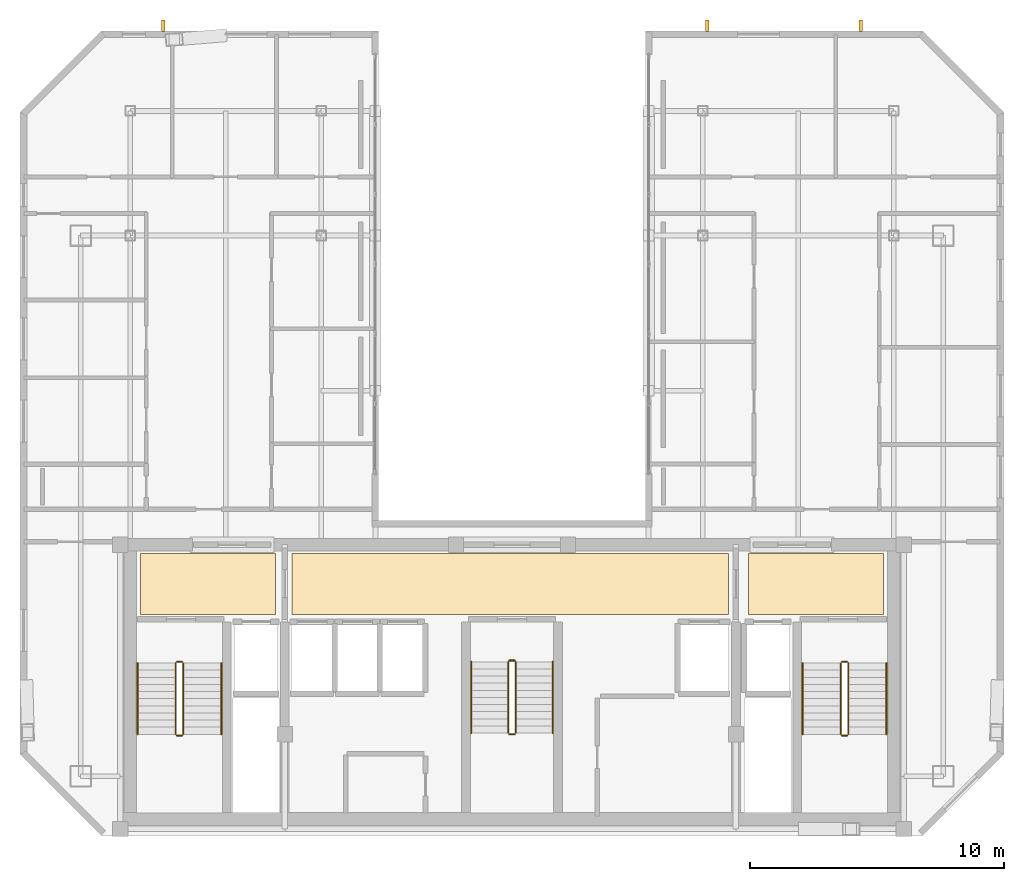
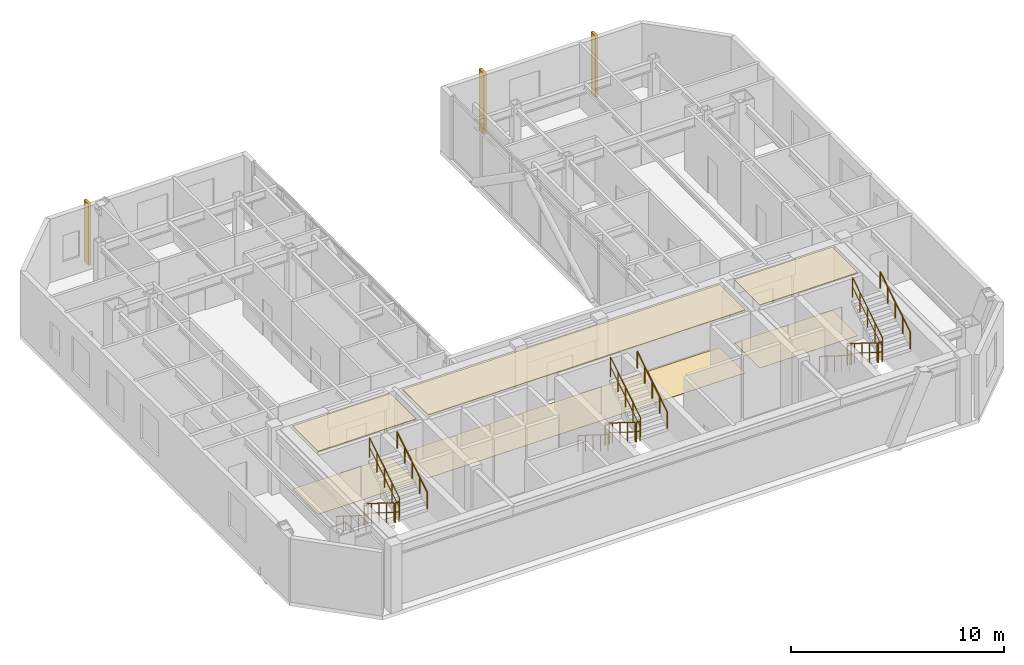
# One storey, part 18 of 18: 18 railings, 6 coverings, 3 shading devices.
"""IFC4 building model written with IfcOpenShell, lengths in metres."""

from ifc_helpers import new_model, si_unit, direction, frame, origin, origin_2d, place, context, subcontext, project, spatial, polyline, rectangle, circle, outline, extrude, material, layer, layer_set, type_object, element, save


model = new_model("IFC4")

# Units and contexts
model_context = context("Model", 3, precision=1e-05, world=origin(), true_north=direction((0.0, 1.0)))
body_context = subcontext(model_context, "Body", "Model", "MODEL_VIEW")
ifc_project = project(units=[si_unit("LENGTHUNIT", "METRE"), si_unit("AREAUNIT", "SQUARE_METRE"), si_unit("VOLUMEUNIT", "CUBIC_METRE"), si_unit("PLANEANGLEUNIT", "RADIAN"), si_unit("MASSUNIT", "GRAM", prefix="KILO")], contexts=[model_context])

# Site, building, storey
site_placement = place(None, origin())
site = spatial("IfcSite", under=ifc_project, at=site_placement, CompositionType="ELEMENT")
building_placement = place(site_placement, origin())
building = spatial("IfcBuilding", under=site, at=building_placement, Name="Ventersveld Concourse Tower", CompositionType="ELEMENT")
storey_placement = place(building_placement, frame((0.0, 0.0, 341.35009765625)))
storey = spatial("IfcBuildingStorey", under=building, at=storey_placement, Name="L84", CompositionType="ELEMENT", Elevation=341.35009765625)

# Coverings
ifc_material_1 = material(Name="Mineral-fibre acoustic ceiling tile", Category="gypsum")
ifc_layer_1 = layer(ifc_material_1, 0.0400390625)
ifc_layer_set_1 = layer_set([ifc_layer_1], Name="Mineral-fibre acoustic ceiling tile")
covering_type_1 = type_object("IfcCoveringType", Name="COV-CEIL-ACOUSTIC", PredefinedType="CEILING", material=ifc_layer_set_1)
covering_1_placement = place(storey_placement, frame((0.0, 0.0, 3.58984375)))
element("IfcCovering", 1, at=covering_1_placement, inside=storey, type_object=covering_type_1, Name="L84 North Lift Lobby Acoustic Ceiling", PredefinedType="CEILING", context=body_context, shape_type="SweptSolid", body=[
    extrude(outline(polyline([(20.10009765625, 8.699951171875), (37.25, 8.699951171875), (37.25, 11.10009765625), (20.10009765625, 11.10009765625), (20.10009765625, 8.699951171875)])), origin(), (0.0, 0.0, 1.0), 0.0400390625),
])
covering_2_placement = place(storey_placement, frame((0.0, 0.0, 3.58984375)))
element("IfcCovering", 2, at=covering_2_placement, inside=storey, type_object=covering_type_1, Name="L84 West Firefighting Lobby Acoustic Ceiling", PredefinedType="CEILING", context=body_context, shape_type="SweptSolid", body=[
    extrude(outline(polyline([(14.14990234375, 8.699951171875), (19.449951171875, 8.699951171875), (19.449951171875, 11.10009765625), (14.14990234375, 11.10009765625), (14.14990234375, 8.699951171875)])), origin(), (0.0, 0.0, 1.0), 0.0400390625),
])
covering_3_placement = place(storey_placement, frame((0.0, 0.0, 3.58984375)))
element("IfcCovering", 3, at=covering_3_placement, inside=storey, type_object=covering_type_1, Name="L84 East Firefighting Lobby Acoustic Ceiling", PredefinedType="CEILING", context=body_context, shape_type="SweptSolid", body=[
    extrude(outline(polyline([(38.050048828125, 8.699951171875), (43.35009765625, 8.699951171875), (43.35009765625, 11.10009765625), (38.050048828125, 11.10009765625), (38.050048828125, 8.699951171875)])), origin(), (0.0, 0.0, 1.0), 0.0400390625),
])
ifc_material_2 = material(Name="Polished Highveld granite terrazzo", Category="masonry")
ifc_layer_2 = layer(ifc_material_2, 0.02001953125)
ifc_layer_set_2 = layer_set([ifc_layer_2], Name="Polished Highveld granite terrazzo")
covering_type_2 = type_object("IfcCoveringType", Name="COV-FLOOR-TERRAZZO", PredefinedType="FLOORING", material=ifc_layer_set_2)
covering_4_placement = place(storey_placement, origin())
element("IfcCovering", 4, at=covering_4_placement, inside=storey, type_object=covering_type_2, Name="L84 North Lift Lobby Terrazzo Flooring", PredefinedType="FLOORING", context=body_context, shape_type="SweptSolid", body=[
    extrude(outline(polyline([(20.10009765625, 8.699951171875), (37.25, 8.699951171875), (37.25, 11.10009765625), (20.10009765625, 11.10009765625), (20.10009765625, 8.699951171875)])), origin(), (0.0, 0.0, 1.0), 0.02001953125),
])
covering_5_placement = place(storey_placement, origin())
element("IfcCovering", 5, at=covering_5_placement, inside=storey, type_object=covering_type_2, Name="L84 West Firefighting Lobby Terrazzo Flooring", PredefinedType="FLOORING", context=body_context, shape_type="SweptSolid", body=[
    extrude(outline(polyline([(14.14990234375, 8.699951171875), (19.449951171875, 8.699951171875), (19.449951171875, 11.10009765625), (14.14990234375, 11.10009765625), (14.14990234375, 8.699951171875)])), origin(), (0.0, 0.0, 1.0), 0.02001953125),
])
covering_6_placement = place(storey_placement, origin())
element("IfcCovering", 6, at=covering_6_placement, inside=storey, type_object=covering_type_2, Name="L84 East Firefighting Lobby Terrazzo Flooring", PredefinedType="FLOORING", context=body_context, shape_type="SweptSolid", body=[
    extrude(outline(polyline([(38.050048828125, 8.699951171875), (43.35009765625, 8.699951171875), (43.35009765625, 11.10009765625), (38.050048828125, 11.10009765625), (38.050048828125, 8.699951171875)])), origin(), (0.0, 0.0, 1.0), 0.02001953125),
])

# Railings
ifc_material_3 = material(Name="Brushed stainless steel 316", Category="steel")
railing_type_1 = type_object("IfcRailingType", Name="GD-BAL-115", PredefinedType="GUARDRAIL", material=ifc_material_3)
railing_1_placement = place(storey_placement, frame((15.530029296875, 6.800048828125, 0.1748046875)))
element("IfcRailing", 7, at=railing_1_placement, inside=storey, type_object=railing_type_1, Name="L84 ST-01 stair guard 1", PredefinedType="GUARDRAIL", context=body_context, shape_type="SweptSolid", body=[
    extrude(circle(Radius=0.02392578125, at=origin_2d()), frame((0.0, 0.0, 1.1259765625), z_axis=(0.0, -0.848002457836, 0.529992293815), x_axis=(1.0, 0.0, 0.0)), (0.0, 0.0, 1.0), 3.302001953125),
    extrude(circle(Radius=0.01611328125, at=origin_2d()), frame((0.0, 0.0, 0.574951171875), z_axis=(0.0, -0.848002457836, 0.529992293815), x_axis=(1.0, 0.0, 0.0)), (0.0, 0.0, 1.0), 3.302001953125),
    extrude(circle(Radius=0.02099609375, at=origin_2d()), origin(), (0.0, 0.0, 1.0), 1.101806640625),
    extrude(circle(Radius=0.02099609375, at=origin_2d()), frame((0.0, -0.699951171875, 0.4375)), (0.0, 0.0, 1.0), 1.101806640625),
    extrude(circle(Radius=0.02099609375, at=origin_2d()), frame((0.0, -1.39990234375, 0.875)), (0.0, 0.0, 1.0), 1.101806640625),
    extrude(circle(Radius=0.02099609375, at=origin_2d()), frame((0.0, -2.10009765625, 1.3125)), (0.0, 0.0, 1.0), 1.101806640625),
    extrude(circle(Radius=0.02099609375, at=origin_2d()), frame((0.0, -2.800048828125, 1.75)), (0.0, 0.0, 1.0), 1.101806640625),
])
railing_2_placement = place(storey_placement, frame((15.580078125, 3.949951171875, 1.9248046875)))
element("IfcRailing", 8, at=railing_2_placement, inside=storey, type_object=railing_type_1, Name="L84 ST-01 stair guard 2", PredefinedType="GUARDRAIL", context=body_context, shape_type="SweptSolid", body=[
    extrude(circle(Radius=0.02392578125, at=origin_2d()), frame((0.0, 0.0, 1.1259765625), z_axis=(1.0, 0.0, 0.0), x_axis=(0.0, 1.0, 0.0)), (0.0, 0.0, 1.0), 0.199951171875),
    extrude(circle(Radius=0.01611328125, at=origin_2d()), frame((0.0, 0.0, 0.574951171875), z_axis=(1.0, 0.0, 0.0), x_axis=(0.0, 1.0, 0.0)), (0.0, 0.0, 1.0), 0.199951171875),
    extrude(circle(Radius=0.02099609375, at=origin_2d()), origin(), (0.0, 0.0, 1.0), 1.101806640625),
    extrude(circle(Radius=0.02099609375, at=origin_2d()), frame((0.199951171875, 0.0, 0.0)), (0.0, 0.0, 1.0), 1.101806640625),
])
railing_3_placement = place(storey_placement, frame((15.830078125, 4.0, 2.099853515625)))
element("IfcRailing", 9, at=railing_3_placement, inside=storey, type_object=railing_type_1, Name="L84 ST-01 stair guard 3", PredefinedType="GUARDRAIL", context=body_context, shape_type="SweptSolid", body=[
    extrude(circle(Radius=0.02392578125, at=origin_2d()), frame((0.0, 0.0, 1.1259765625), z_axis=(0.0, 0.848002457836, 0.529992293815), x_axis=(-1.0, 0.0, 0.0)), (0.0, 0.0, 1.0), 3.302001953125),
    extrude(circle(Radius=0.01611328125, at=origin_2d()), frame((0.0, 0.0, 0.574951171875), z_axis=(0.0, 0.848002457836, 0.529992293815), x_axis=(-1.0, 0.0, 0.0)), (0.0, 0.0, 1.0), 3.302001953125),
    extrude(circle(Radius=0.02099609375, at=origin_2d()), origin(), (0.0, 0.0, 1.0), 1.101806640625),
    extrude(circle(Radius=0.02099609375, at=origin_2d()), frame((0.0, 0.699951171875, 0.4375)), (0.0, 0.0, 1.0), 1.101806640625),
    extrude(circle(Radius=0.02099609375, at=origin_2d()), frame((0.0, 1.39990234375, 0.875)), (0.0, 0.0, 1.0), 1.101806640625),
    extrude(circle(Radius=0.02099609375, at=origin_2d()), frame((0.0, 2.10009765625, 1.3125)), (0.0, 0.0, 1.0), 1.101806640625),
    extrude(circle(Radius=0.02099609375, at=origin_2d()), frame((0.0, 2.800048828125, 1.75)), (0.0, 0.0, 1.0), 1.101806640625),
])
railing_4_placement = place(storey_placement, frame((15.580078125, 6.85009765625, 0.0)))
element("IfcRailing", 10, at=railing_4_placement, inside=storey, type_object=railing_type_1, Name="L84 ST-01 stair guard 4", PredefinedType="GUARDRAIL", context=body_context, shape_type="SweptSolid", body=[
    extrude(circle(Radius=0.02392578125, at=origin_2d()), frame((0.0, 0.0, 1.1259765625), z_axis=(1.0, 0.0, 0.0), x_axis=(0.0, 1.0, 0.0)), (0.0, 0.0, 1.0), 0.199951171875),
    extrude(circle(Radius=0.01611328125, at=origin_2d()), frame((0.0, 0.0, 0.574951171875), z_axis=(1.0, 0.0, 0.0), x_axis=(0.0, 1.0, 0.0)), (0.0, 0.0, 1.0), 0.199951171875),
    extrude(circle(Radius=0.02099609375, at=origin_2d()), origin(), (0.0, 0.0, 1.0), 1.101806640625),
    extrude(circle(Radius=0.02099609375, at=origin_2d()), frame((0.199951171875, 0.0, 0.0)), (0.0, 0.0, 1.0), 1.101806640625),
])
railing_5_placement = place(storey_placement, frame((41.669921875, 6.800048828125, 0.1748046875)))
element("IfcRailing", 11, at=railing_5_placement, inside=storey, type_object=railing_type_1, Name="L84 ST-02 stair guard 1", PredefinedType="GUARDRAIL", context=body_context, shape_type="SweptSolid", body=[
    extrude(circle(Radius=0.02392578125, at=origin_2d()), frame((0.0, 0.0, 1.1259765625), z_axis=(0.0, -0.848002457836, 0.529992293815), x_axis=(1.0, 0.0, 0.0)), (0.0, 0.0, 1.0), 3.302001953125),
    extrude(circle(Radius=0.01611328125, at=origin_2d()), frame((0.0, 0.0, 0.574951171875), z_axis=(0.0, -0.848002457836, 0.529992293815), x_axis=(1.0, 0.0, 0.0)), (0.0, 0.0, 1.0), 3.302001953125),
    extrude(circle(Radius=0.02099609375, at=origin_2d()), origin(), (0.0, 0.0, 1.0), 1.101806640625),
    extrude(circle(Radius=0.02099609375, at=origin_2d()), frame((0.0, -0.699951171875, 0.4375)), (0.0, 0.0, 1.0), 1.101806640625),
    extrude(circle(Radius=0.02099609375, at=origin_2d()), frame((0.0, -1.39990234375, 0.875)), (0.0, 0.0, 1.0), 1.101806640625),
    extrude(circle(Radius=0.02099609375, at=origin_2d()), frame((0.0, -2.10009765625, 1.3125)), (0.0, 0.0, 1.0), 1.101806640625),
    extrude(circle(Radius=0.02099609375, at=origin_2d()), frame((0.0, -2.800048828125, 1.75)), (0.0, 0.0, 1.0), 1.101806640625),
])
railing_6_placement = place(storey_placement, frame((41.719970703125, 3.949951171875, 1.9248046875)))
element("IfcRailing", 12, at=railing_6_placement, inside=storey, type_object=railing_type_1, Name="L84 ST-02 stair guard 2", PredefinedType="GUARDRAIL", context=body_context, shape_type="SweptSolid", body=[
    extrude(circle(Radius=0.02392578125, at=origin_2d()), frame((0.0, 0.0, 1.1259765625), z_axis=(1.0, 0.0, 0.0), x_axis=(0.0, 1.0, 0.0)), (0.0, 0.0, 1.0), 0.199951171875),
    extrude(circle(Radius=0.01611328125, at=origin_2d()), frame((0.0, 0.0, 0.574951171875), z_axis=(1.0, 0.0, 0.0), x_axis=(0.0, 1.0, 0.0)), (0.0, 0.0, 1.0), 0.199951171875),
    extrude(circle(Radius=0.02099609375, at=origin_2d()), origin(), (0.0, 0.0, 1.0), 1.101806640625),
    extrude(circle(Radius=0.02099609375, at=origin_2d()), frame((0.199951171875, 0.0, 0.0)), (0.0, 0.0, 1.0), 1.101806640625),
])
railing_7_placement = place(storey_placement, frame((41.969970703125, 4.0, 2.099853515625)))
element("IfcRailing", 13, at=railing_7_placement, inside=storey, type_object=railing_type_1, Name="L84 ST-02 stair guard 3", PredefinedType="GUARDRAIL", context=body_context, shape_type="SweptSolid", body=[
    extrude(circle(Radius=0.02392578125, at=origin_2d()), frame((0.0, 0.0, 1.1259765625), z_axis=(0.0, 0.848002457836, 0.529992293815), x_axis=(-1.0, 0.0, 0.0)), (0.0, 0.0, 1.0), 3.302001953125),
    extrude(circle(Radius=0.01611328125, at=origin_2d()), frame((0.0, 0.0, 0.574951171875), z_axis=(0.0, 0.848002457836, 0.529992293815), x_axis=(-1.0, 0.0, 0.0)), (0.0, 0.0, 1.0), 3.302001953125),
    extrude(circle(Radius=0.02099609375, at=origin_2d()), origin(), (0.0, 0.0, 1.0), 1.101806640625),
    extrude(circle(Radius=0.02099609375, at=origin_2d()), frame((0.0, 0.699951171875, 0.4375)), (0.0, 0.0, 1.0), 1.101806640625),
    extrude(circle(Radius=0.02099609375, at=origin_2d()), frame((0.0, 1.39990234375, 0.875)), (0.0, 0.0, 1.0), 1.101806640625),
    extrude(circle(Radius=0.02099609375, at=origin_2d()), frame((0.0, 2.10009765625, 1.3125)), (0.0, 0.0, 1.0), 1.101806640625),
    extrude(circle(Radius=0.02099609375, at=origin_2d()), frame((0.0, 2.800048828125, 1.75)), (0.0, 0.0, 1.0), 1.101806640625),
])
railing_8_placement = place(storey_placement, frame((41.719970703125, 6.85009765625, 0.0)))
element("IfcRailing", 14, at=railing_8_placement, inside=storey, type_object=railing_type_1, Name="L84 ST-02 stair guard 4", PredefinedType="GUARDRAIL", context=body_context, shape_type="SweptSolid", body=[
    extrude(circle(Radius=0.02392578125, at=origin_2d()), frame((0.0, 0.0, 1.1259765625), z_axis=(1.0, 0.0, 0.0), x_axis=(0.0, 1.0, 0.0)), (0.0, 0.0, 1.0), 0.199951171875),
    extrude(circle(Radius=0.01611328125, at=origin_2d()), frame((0.0, 0.0, 0.574951171875), z_axis=(1.0, 0.0, 0.0), x_axis=(0.0, 1.0, 0.0)), (0.0, 0.0, 1.0), 0.199951171875),
    extrude(circle(Radius=0.02099609375, at=origin_2d()), origin(), (0.0, 0.0, 1.0), 1.101806640625),
    extrude(circle(Radius=0.02099609375, at=origin_2d()), frame((0.199951171875, 0.0, 0.0)), (0.0, 0.0, 1.0), 1.101806640625),
])
railing_9_placement = place(storey_placement, frame((28.60009765625, 6.85009765625, 0.1748046875)))
element("IfcRailing", 15, at=railing_9_placement, inside=storey, type_object=railing_type_1, Name="L84 ST-03 stair guard 1", PredefinedType="GUARDRAIL", context=body_context, shape_type="SweptSolid", body=[
    extrude(circle(Radius=0.02392578125, at=origin_2d()), frame((0.0, 0.0, 1.1259765625), z_axis=(0.0, -0.848002457836, 0.529992293815), x_axis=(1.0, 0.0, 0.0)), (0.0, 0.0, 1.0), 3.302001953125),
    extrude(circle(Radius=0.01611328125, at=origin_2d()), frame((0.0, 0.0, 0.574951171875), z_axis=(0.0, -0.848002457836, 0.529992293815), x_axis=(1.0, 0.0, 0.0)), (0.0, 0.0, 1.0), 3.302001953125),
    extrude(circle(Radius=0.02099609375, at=origin_2d()), origin(), (0.0, 0.0, 1.0), 1.101806640625),
    extrude(circle(Radius=0.02099609375, at=origin_2d()), frame((0.0, -0.699951171875, 0.4375)), (0.0, 0.0, 1.0), 1.101806640625),
    extrude(circle(Radius=0.02099609375, at=origin_2d()), frame((0.0, -1.39990234375, 0.875)), (0.0, 0.0, 1.0), 1.101806640625),
    extrude(circle(Radius=0.02099609375, at=origin_2d()), frame((0.0, -2.10009765625, 1.3125)), (0.0, 0.0, 1.0), 1.101806640625),
    extrude(circle(Radius=0.02099609375, at=origin_2d()), frame((0.0, -2.800048828125, 1.75)), (0.0, 0.0, 1.0), 1.101806640625),
])
railing_10_placement = place(storey_placement, frame((28.64990234375, 4.0, 1.9248046875)))
element("IfcRailing", 16, at=railing_10_placement, inside=storey, type_object=railing_type_1, Name="L84 ST-03 stair guard 2", PredefinedType="GUARDRAIL", context=body_context, shape_type="SweptSolid", body=[
    extrude(circle(Radius=0.02392578125, at=origin_2d()), frame((0.0, 0.0, 1.1259765625), z_axis=(1.0, 0.0, 0.0), x_axis=(0.0, 1.0, 0.0)), (0.0, 0.0, 1.0), 0.2001953125),
    extrude(circle(Radius=0.01611328125, at=origin_2d()), frame((0.0, 0.0, 0.574951171875), z_axis=(1.0, 0.0, 0.0), x_axis=(0.0, 1.0, 0.0)), (0.0, 0.0, 1.0), 0.2001953125),
    extrude(circle(Radius=0.02099609375, at=origin_2d()), origin(), (0.0, 0.0, 1.0), 1.101806640625),
    extrude(circle(Radius=0.02099609375, at=origin_2d()), frame((0.2001953125, 0.0, 0.0)), (0.0, 0.0, 1.0), 1.101806640625),
])
railing_11_placement = place(storey_placement, frame((28.89990234375, 4.050048828125, 2.099853515625)))
element("IfcRailing", 17, at=railing_11_placement, inside=storey, type_object=railing_type_1, Name="L84 ST-03 stair guard 3", PredefinedType="GUARDRAIL", context=body_context, shape_type="SweptSolid", body=[
    extrude(circle(Radius=0.02392578125, at=origin_2d()), frame((0.0, 0.0, 1.1259765625), z_axis=(0.0, 0.848002457836, 0.529992293815), x_axis=(-1.0, 0.0, 0.0)), (0.0, 0.0, 1.0), 3.302001953125),
    extrude(circle(Radius=0.01611328125, at=origin_2d()), frame((0.0, 0.0, 0.574951171875), z_axis=(0.0, 0.848002457836, 0.529992293815), x_axis=(-1.0, 0.0, 0.0)), (0.0, 0.0, 1.0), 3.302001953125),
    extrude(circle(Radius=0.02099609375, at=origin_2d()), origin(), (0.0, 0.0, 1.0), 1.101806640625),
    extrude(circle(Radius=0.02099609375, at=origin_2d()), frame((0.0, 0.699951171875, 0.4375)), (0.0, 0.0, 1.0), 1.101806640625),
    extrude(circle(Radius=0.02099609375, at=origin_2d()), frame((0.0, 1.39990234375, 0.875)), (0.0, 0.0, 1.0), 1.101806640625),
    extrude(circle(Radius=0.02099609375, at=origin_2d()), frame((0.0, 2.10009765625, 1.3125)), (0.0, 0.0, 1.0), 1.101806640625),
    extrude(circle(Radius=0.02099609375, at=origin_2d()), frame((0.0, 2.800048828125, 1.75)), (0.0, 0.0, 1.0), 1.101806640625),
])
railing_12_placement = place(storey_placement, frame((28.64990234375, 6.89990234375, 0.0)))
element("IfcRailing", 18, at=railing_12_placement, inside=storey, type_object=railing_type_1, Name="L84 ST-03 stair guard 4", PredefinedType="GUARDRAIL", context=body_context, shape_type="SweptSolid", body=[
    extrude(circle(Radius=0.02392578125, at=origin_2d()), frame((0.0, 0.0, 1.1259765625), z_axis=(1.0, 0.0, 0.0), x_axis=(0.0, 1.0, 0.0)), (0.0, 0.0, 1.0), 0.2001953125),
    extrude(circle(Radius=0.01611328125, at=origin_2d()), frame((0.0, 0.0, 0.574951171875), z_axis=(1.0, 0.0, 0.0), x_axis=(0.0, 1.0, 0.0)), (0.0, 0.0, 1.0), 0.2001953125),
    extrude(circle(Radius=0.02099609375, at=origin_2d()), origin(), (0.0, 0.0, 1.0), 1.101806640625),
    extrude(circle(Radius=0.02099609375, at=origin_2d()), frame((0.2001953125, 0.0, 0.0)), (0.0, 0.0, 1.0), 1.101806640625),
])
railing_type_2 = type_object("IfcRailingType", Name="HR-RMP-095", PredefinedType="HANDRAIL", material=ifc_material_3)
railing_13_placement = place(storey_placement, frame((14.030029296875, 6.800048828125, 0.1748046875)))
element("IfcRailing", 19, at=railing_13_placement, inside=storey, type_object=railing_type_2, Name="L84 ST-01 stair handrail 1", PredefinedType="HANDRAIL", context=body_context, shape_type="SweptSolid", body=[
    extrude(circle(Radius=0.02392578125, at=origin_2d()), frame((0.0, 0.0, 0.92578125), z_axis=(0.0, -0.848002457836, 0.529992293815), x_axis=(1.0, 0.0, 0.0)), (0.0, 0.0, 1.0), 3.302001953125),
    extrude(circle(Radius=0.02099609375, at=origin_2d()), origin(), (0.0, 0.0, 1.0), 0.90185546875),
    extrude(circle(Radius=0.02099609375, at=origin_2d()), frame((0.0, -0.699951171875, 0.4375)), (0.0, 0.0, 1.0), 0.90185546875),
    extrude(circle(Radius=0.02099609375, at=origin_2d()), frame((0.0, -1.39990234375, 0.875)), (0.0, 0.0, 1.0), 0.90185546875),
    extrude(circle(Radius=0.02099609375, at=origin_2d()), frame((0.0, -2.10009765625, 1.3125)), (0.0, 0.0, 1.0), 0.90185546875),
    extrude(circle(Radius=0.02099609375, at=origin_2d()), frame((0.0, -2.800048828125, 1.75)), (0.0, 0.0, 1.0), 0.90185546875),
])
railing_14_placement = place(storey_placement, frame((17.330078125, 4.0, 2.099853515625)))
element("IfcRailing", 20, at=railing_14_placement, inside=storey, type_object=railing_type_2, Name="L84 ST-01 stair handrail 2", PredefinedType="HANDRAIL", context=body_context, shape_type="SweptSolid", body=[
    extrude(circle(Radius=0.02392578125, at=origin_2d()), frame((0.0, 0.0, 0.92578125), z_axis=(0.0, 0.848002457836, 0.529992293815), x_axis=(-1.0, 0.0, 0.0)), (0.0, 0.0, 1.0), 3.302001953125),
    extrude(circle(Radius=0.02099609375, at=origin_2d()), origin(), (0.0, 0.0, 1.0), 0.90185546875),
    extrude(circle(Radius=0.02099609375, at=origin_2d()), frame((0.0, 0.699951171875, 0.4375)), (0.0, 0.0, 1.0), 0.90185546875),
    extrude(circle(Radius=0.02099609375, at=origin_2d()), frame((0.0, 1.39990234375, 0.875)), (0.0, 0.0, 1.0), 0.90185546875),
    extrude(circle(Radius=0.02099609375, at=origin_2d()), frame((0.0, 2.10009765625, 1.3125)), (0.0, 0.0, 1.0), 0.90185546875),
    extrude(circle(Radius=0.02099609375, at=origin_2d()), frame((0.0, 2.800048828125, 1.75)), (0.0, 0.0, 1.0), 0.90185546875),
])
railing_15_placement = place(storey_placement, frame((40.169921875, 6.800048828125, 0.1748046875)))
element("IfcRailing", 21, at=railing_15_placement, inside=storey, type_object=railing_type_2, Name="L84 ST-02 stair handrail 1", PredefinedType="HANDRAIL", context=body_context, shape_type="SweptSolid", body=[
    extrude(circle(Radius=0.02392578125, at=origin_2d()), frame((0.0, 0.0, 0.92578125), z_axis=(0.0, -0.848002457836, 0.529992293815), x_axis=(1.0, 0.0, 0.0)), (0.0, 0.0, 1.0), 3.302001953125),
    extrude(circle(Radius=0.02099609375, at=origin_2d()), origin(), (0.0, 0.0, 1.0), 0.90185546875),
    extrude(circle(Radius=0.02099609375, at=origin_2d()), frame((0.0, -0.699951171875, 0.4375)), (0.0, 0.0, 1.0), 0.90185546875),
    extrude(circle(Radius=0.02099609375, at=origin_2d()), frame((0.0, -1.39990234375, 0.875)), (0.0, 0.0, 1.0), 0.90185546875),
    extrude(circle(Radius=0.02099609375, at=origin_2d()), frame((0.0, -2.10009765625, 1.3125)), (0.0, 0.0, 1.0), 0.90185546875),
    extrude(circle(Radius=0.02099609375, at=origin_2d()), frame((0.0, -2.800048828125, 1.75)), (0.0, 0.0, 1.0), 0.90185546875),
])
railing_16_placement = place(storey_placement, frame((43.469970703125, 4.0, 2.099853515625)))
element("IfcRailing", 22, at=railing_16_placement, inside=storey, type_object=railing_type_2, Name="L84 ST-02 stair handrail 2", PredefinedType="HANDRAIL", context=body_context, shape_type="SweptSolid", body=[
    extrude(circle(Radius=0.02392578125, at=origin_2d()), frame((0.0, 0.0, 0.92578125), z_axis=(0.0, 0.848002457836, 0.529992293815), x_axis=(-1.0, 0.0, 0.0)), (0.0, 0.0, 1.0), 3.302001953125),
    extrude(circle(Radius=0.02099609375, at=origin_2d()), origin(), (0.0, 0.0, 1.0), 0.90185546875),
    extrude(circle(Radius=0.02099609375, at=origin_2d()), frame((0.0, 0.699951171875, 0.4375)), (0.0, 0.0, 1.0), 0.90185546875),
    extrude(circle(Radius=0.02099609375, at=origin_2d()), frame((0.0, 1.39990234375, 0.875)), (0.0, 0.0, 1.0), 0.90185546875),
    extrude(circle(Radius=0.02099609375, at=origin_2d()), frame((0.0, 2.10009765625, 1.3125)), (0.0, 0.0, 1.0), 0.90185546875),
    extrude(circle(Radius=0.02099609375, at=origin_2d()), frame((0.0, 2.800048828125, 1.75)), (0.0, 0.0, 1.0), 0.90185546875),
])
railing_17_placement = place(storey_placement, frame((27.14990234375, 6.85009765625, 0.1748046875)))
element("IfcRailing", 23, at=railing_17_placement, inside=storey, type_object=railing_type_2, Name="L84 ST-03 stair handrail 1", PredefinedType="HANDRAIL", context=body_context, shape_type="SweptSolid", body=[
    extrude(circle(Radius=0.02392578125, at=origin_2d()), frame((0.0, 0.0, 0.92578125), z_axis=(0.0, -0.848002457836, 0.529992293815), x_axis=(1.0, 0.0, 0.0)), (0.0, 0.0, 1.0), 3.302001953125),
    extrude(circle(Radius=0.02099609375, at=origin_2d()), origin(), (0.0, 0.0, 1.0), 0.90185546875),
    extrude(circle(Radius=0.02099609375, at=origin_2d()), frame((0.0, -0.699951171875, 0.4375)), (0.0, 0.0, 1.0), 0.90185546875),
    extrude(circle(Radius=0.02099609375, at=origin_2d()), frame((0.0, -1.39990234375, 0.875)), (0.0, 0.0, 1.0), 0.90185546875),
    extrude(circle(Radius=0.02099609375, at=origin_2d()), frame((0.0, -2.10009765625, 1.3125)), (0.0, 0.0, 1.0), 0.90185546875),
    extrude(circle(Radius=0.02099609375, at=origin_2d()), frame((0.0, -2.800048828125, 1.75)), (0.0, 0.0, 1.0), 0.90185546875),
])
railing_18_placement = place(storey_placement, frame((30.35009765625, 4.050048828125, 2.099853515625)))
element("IfcRailing", 24, at=railing_18_placement, inside=storey, type_object=railing_type_2, Name="L84 ST-03 stair handrail 2", PredefinedType="HANDRAIL", context=body_context, shape_type="SweptSolid", body=[
    extrude(circle(Radius=0.02392578125, at=origin_2d()), frame((0.0, 0.0, 0.92578125), z_axis=(0.0, 0.848002457836, 0.529992293815), x_axis=(-1.0, 0.0, 0.0)), (0.0, 0.0, 1.0), 3.302001953125),
    extrude(circle(Radius=0.02099609375, at=origin_2d()), origin(), (0.0, 0.0, 1.0), 0.90185546875),
    extrude(circle(Radius=0.02099609375, at=origin_2d()), frame((0.0, 0.699951171875, 0.4375)), (0.0, 0.0, 1.0), 0.90185546875),
    extrude(circle(Radius=0.02099609375, at=origin_2d()), frame((0.0, 1.39990234375, 0.875)), (0.0, 0.0, 1.0), 0.90185546875),
    extrude(circle(Radius=0.02099609375, at=origin_2d()), frame((0.0, 2.10009765625, 1.3125)), (0.0, 0.0, 1.0), 0.90185546875),
    extrude(circle(Radius=0.02099609375, at=origin_2d()), frame((0.0, 2.800048828125, 1.75)), (0.0, 0.0, 1.0), 0.90185546875),
])

# Shading devices
ifc_material_4 = material(Name="Precast concrete C45/55", Category="concrete")
shading_device_type = type_object("IfcShadingDeviceType", Name="SHD-FIN-450", PredefinedType="USERDEFINED", material=ifc_material_4)
for number, where, z_axis, x_axis, name in (
    (25, (42.46435546875, 31.84814453125, 0.06005859375), (0.0, 0.0, 1.0), (1.0, 0.0, 0.0), "L84 North Vertical Solar Shading FIN 1"),
    (26, (36.416015625, 31.84814453125, 0.06005859375), (0.0, 0.0, 1.0), (1.0, 0.0, 0.0), "L84 North Vertical Solar Shading FIN 3"),
    (27, (15.03564453125, 31.84814453125, 0.06005859375), (0.0, 0.0, 1.0), (1.0, 0.0, 0.0), "L84 North Vertical Solar Shading FIN 3"),
):
    element("IfcShadingDevice", number, at=place(storey_placement, frame(where, z_axis=z_axis, x_axis=x_axis)), inside=storey, type_object=shading_device_type, Name=name, ObjectType="SUNSHADE", PredefinedType="USERDEFINED", context=body_context, shape_type="SweptSolid", body=[
        extrude(rectangle(XDim=0.139892578125, YDim=0.449951171875, at=origin_2d()), origin(), (0.0, 0.0, 1.0), 3.510009765625),
    ])

save(model, "model.ifc")
